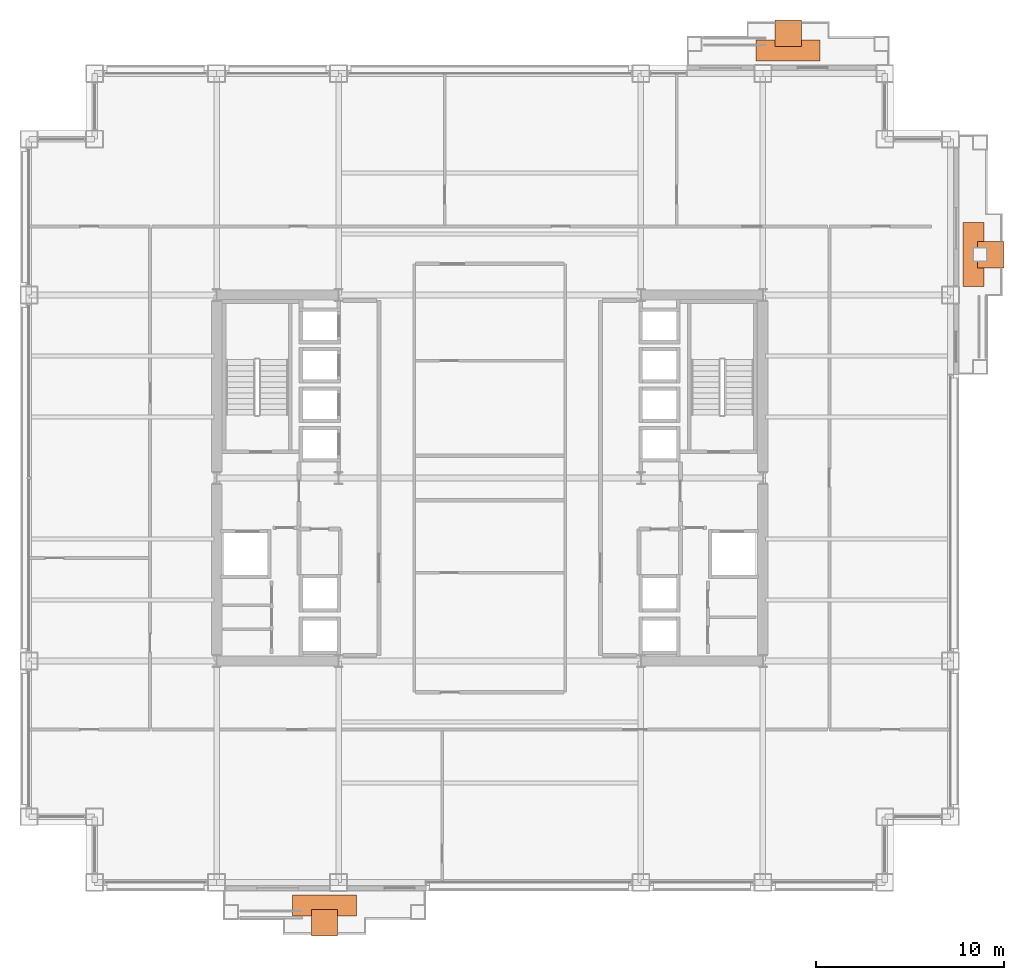
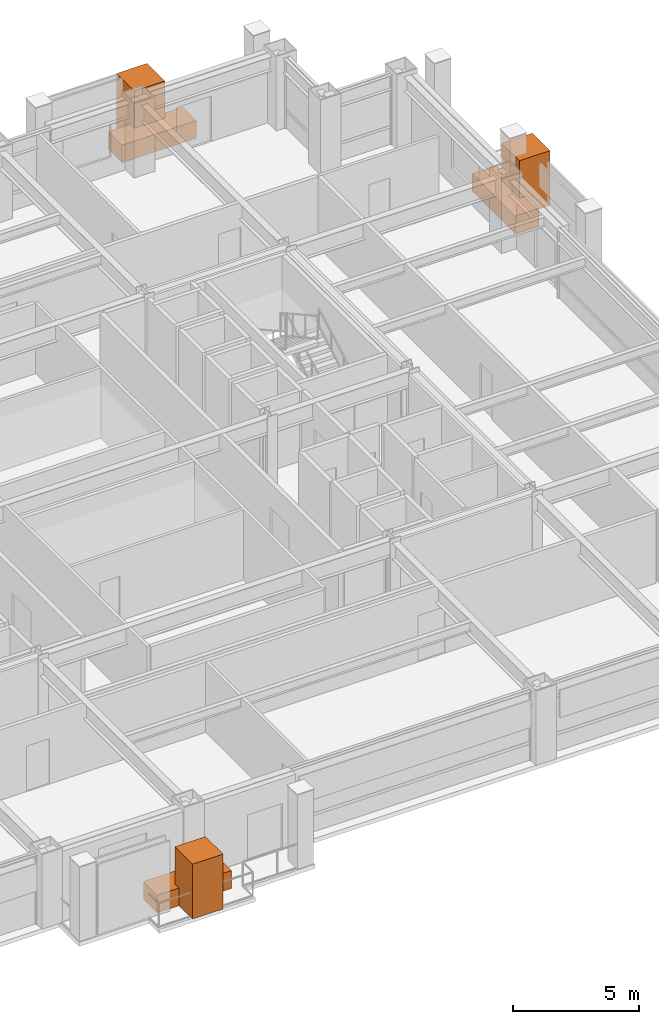
# One storey, part 31 of 31: 6 proxies.
"""IFC4 building model written with IfcOpenShell, lengths in metres."""

from ifc_helpers import new_model, si_unit, direction, frame, origin, origin_2d, place, context, subcontext, project, spatial, rectangle, extrude, material, type_object, element, save


model = new_model("IFC4")

# Units and contexts
model_context = context("Model", 3, precision=1e-05, world=origin(), true_north=direction((0.0, 1.0)))
body_context = subcontext(model_context, "Body", "Model", "MODEL_VIEW")
ifc_project = project(units=[si_unit("LENGTHUNIT", "METRE"), si_unit("AREAUNIT", "SQUARE_METRE"), si_unit("VOLUMEUNIT", "CUBIC_METRE"), si_unit("PLANEANGLEUNIT", "RADIAN"), si_unit("MASSUNIT", "GRAM", prefix="KILO")], contexts=[model_context])

# Site, building, storey
site_placement = place(None, origin())
site = spatial("IfcSite", under=ifc_project, at=site_placement, CompositionType="ELEMENT")
building_placement = place(site_placement, origin())
building = spatial("IfcBuilding", under=site, at=building_placement, Name="Brelmoor Portico Tower", CompositionType="ELEMENT")
storey_placement = place(building_placement, frame((0.0, 0.0, 42.0)))
storey = spatial("IfcBuildingStorey", under=building, at=storey_placement, Name="L10", CompositionType="ELEMENT", Elevation=42.0)

# Proxies
ifc_material_1 = material(Name="Planted Canopy Tree and Soil Rootball", Category="other")
building_element_proxy_type_1 = type_object("IfcBuildingElementProxyType", Name="BALCONY TREE ARBOR", PredefinedType="USERDEFINED", material=ifc_material_1)
for number, where, z_axis, x_axis, name in (
    (1, (-8.800048828125, -23.699951171875, 0.0), (0.0, 0.0, 1.0), (1.0, 0.0, 0.0), "L10 Balcony PLANTER Tree Canopy Arbor S"),
    (2, (15.89990234375, 23.699951171875, 0.0), (0.0, 0.0, 1.0), (1.0, 0.0, 0.0), "L10 Balcony PLANTER Tree Canopy Arbor N"),
    (3, (26.699951171875, 11.89990234375, 0.0), (0.0, 0.0, 1.0), (1.0, 0.0, 0.0), "L10 Balcony PLANTER Tree Canopy Arbor E"),
):
    element("IfcBuildingElementProxy", number, at=place(storey_placement, frame(where, z_axis=z_axis, x_axis=x_axis)), inside=storey, type_object=building_element_proxy_type_1, Name=name, ObjectType="PLANTER", PredefinedType="USERDEFINED", context=body_context, shape_type="SweptSolid", body=[
        extrude(rectangle(XDim=1.39990234375, YDim=1.39990234375, at=origin_2d()), origin(), (0.0, 0.0, 1.0), 2.64990234375),
    ])
ifc_material_2 = material(Name="Architectural Precast Concrete C40", Category="concrete")
building_element_proxy_type_2 = type_object("IfcBuildingElementProxyType", Name="TREE PLANTER", PredefinedType="USERDEFINED", material=ifc_material_2)
for number, where, z_axis, x_axis, name in (
    (4, (-8.800048828125, -22.77490234375, 0.0), (0.0, 0.0, 1.0), (1.0, 0.0, 0.0), "L10 Planted Tree Planter S"),
    (5, (15.89990234375, 22.77490234375, 0.0), (0.0, 0.0, 1.0), (1.0, 0.0, 0.0), "L10 Planted Tree Planter N"),
    (6, (25.77490234375, 11.89990234375, 0.0), (0.0, 0.0, 1.0), (0.0, 1.0, 0.0), "L10 Planted Tree Planter E"),
):
    element("IfcBuildingElementProxy", number, at=place(storey_placement, frame(where, z_axis=z_axis, x_axis=x_axis)), inside=storey, type_object=building_element_proxy_type_2, Name=name, ObjectType="PLANTER", PredefinedType="USERDEFINED", context=body_context, shape_type="SweptSolid", body=[
        extrude(rectangle(XDim=3.39990234375, YDim=1.10009765625, at=origin_2d()), origin(), (0.0, 0.0, 1.0), 0.85009765625),
    ])

save(model, "model.ifc")
